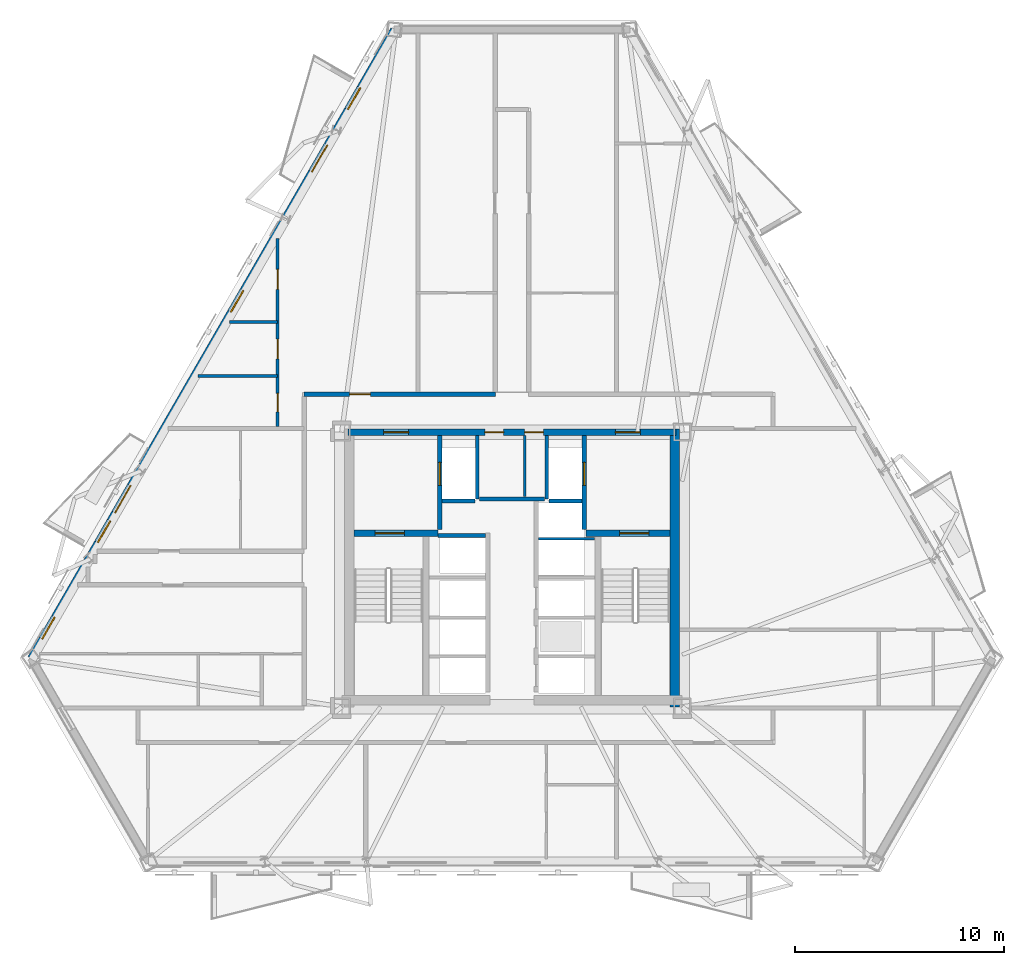
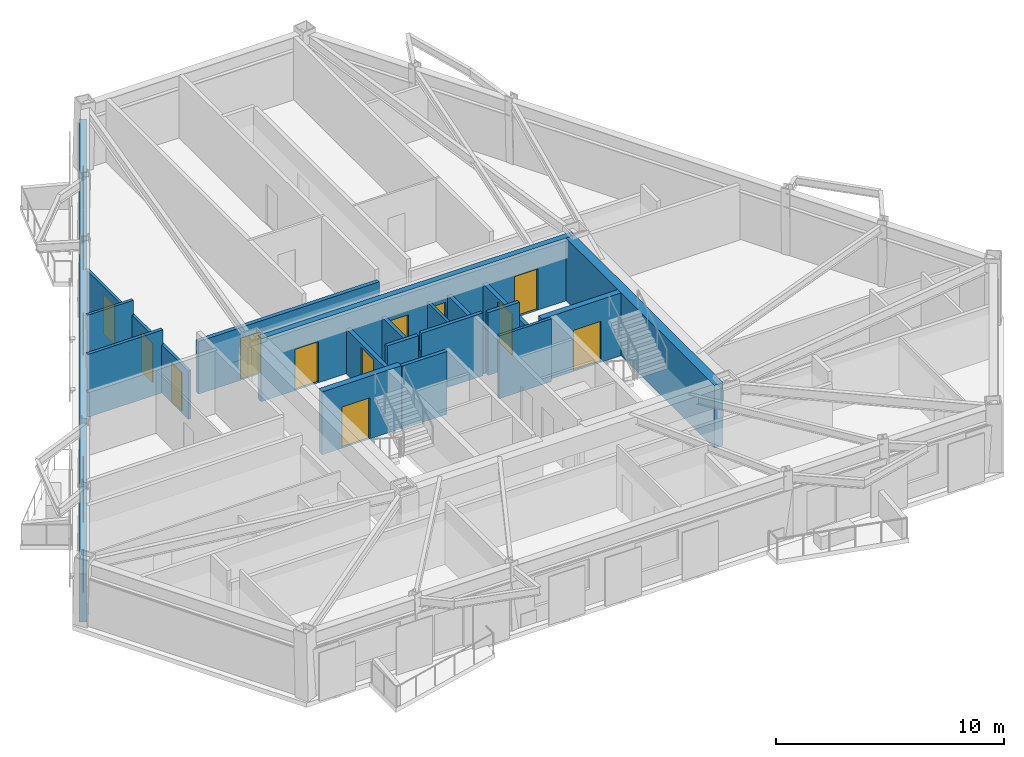
# One storey, part 4 of 11: 19 walls, 14 doors, 4 windows, 18 openings.
"""IFC4 building model written with IfcOpenShell, lengths in metres."""

from ifc_helpers import new_model, si_unit, direction, frame, frame_2d, origin, place, context, subcontext, project, spatial, rectangle, extrude, material, layer, layer_set, type_object, element, fill, save


model = new_model("IFC4")

# Units and contexts
model_context = context("Model", 3, precision=1e-05, world=origin(), true_north=direction((0.0, 1.0)))
body_context = subcontext(model_context, "Body", "Model", "MODEL_VIEW")
ifc_project = project(units=[si_unit("LENGTHUNIT", "METRE"), si_unit("AREAUNIT", "SQUARE_METRE"), si_unit("VOLUMEUNIT", "CUBIC_METRE"), si_unit("PLANEANGLEUNIT", "RADIAN"), si_unit("MASSUNIT", "GRAM", prefix="KILO")], contexts=[model_context])

# Site, building, storey
site_placement = place(None, origin())
site = spatial("IfcSite", under=ifc_project, at=site_placement, CompositionType="ELEMENT")
building_placement = place(site_placement, origin())
building = spatial("IfcBuilding", under=site, at=building_placement, Name="Oramaril Tower", CompositionType="ELEMENT")
storey_placement = place(building_placement, frame((0.0, 0.0, 112.199951171875)))
storey = spatial("IfcBuildingStorey", under=building, at=storey_placement, Name="L29", CompositionType="ELEMENT", Elevation=112.199951171875)

# Wall, openings, doors, windows
ifc_material_1 = material(Name="Warm Cream Limestone", Category="masonry")
ifc_layer_1 = layer(ifc_material_1, 0.340087890625)
ifc_layer_set_1 = layer_set([ifc_layer_1], Name="WT-EXT34")
wall_type_1 = type_object("IfcWallType", Name="WT-EXT34", PredefinedType="SOLIDWALL", material=ifc_layer_set_1)
wall_1_placement = place(storey_placement, frame((31.850341796875, 43.4248046875, 0.0), z_axis=(0.0, 0.0, 1.0), x_axis=(-0.500004027594, -0.866023078439, 0.0)))
wall_1 = element("IfcWall", 1, at=wall_1_placement, inside=storey, type_object=wall_type_1, Name="L29 Tower Limestone Facade Wall 6M", PredefinedType="SOLIDWALL", context=body_context, shape_type="SweptSolid", body=[
    extrude(rectangle(XDim=34.750244140625, YDim=0.340087890625, at=frame_2d((17.375, 0.0))), origin(), (0.0, 0.0, 1.0), 2.578125),
])
opening_1_placement = place(wall_1_placement, frame((6.369384765625, 0.0, 0.0)))
opening_1 = element("IfcOpeningElement", 2, at=opening_1_placement, cuts=wall_1, Name="Opening D-L29-BAL-NW1", PredefinedType="OPENING", context=body_context, shape_type="SweptSolid", body=[
    extrude(rectangle(XDim=1.5, YDim=2.199951171875, at=frame_2d((0.75, 1.10009765625))), frame((0.0, 0.169921875, 0.0), z_axis=(0.0, -1.0, 0.0), x_axis=(1.0, 0.0, 0.0)), (0.0, 0.0, 1.0), 0.340087890625),
])
opening_2_placement = place(wall_1_placement, frame((25.2158203125, 0.0, 0.0)))
opening_2 = element("IfcOpeningElement", 3, at=opening_2_placement, cuts=wall_1, Name="Opening D-L29-BAL-NW2", PredefinedType="OPENING", context=body_context, shape_type="SweptSolid", body=[
    extrude(rectangle(XDim=1.5, YDim=2.199951171875, at=frame_2d((0.75, 1.10009765625))), frame((0.0, 0.169921875, 0.0), z_axis=(0.0, -1.0, 0.0), x_axis=(1.0, 0.0, 0.0)), (0.0, 0.0, 1.0), 0.340087890625),
])
opening_3_placement = place(wall_1_placement, frame((32.486083984375, 0.0, 0.85009765625)))
opening_3 = element("IfcOpeningElement", 4, at=opening_3_placement, cuts=wall_1, Name="Opening WN-09", PredefinedType="OPENING", context=body_context, shape_type="SweptSolid", body=[
    extrude(rectangle(XDim=1.199951171875, YDim=1.47998046875, at=frame_2d((0.60009765625, 0.739990234375))), frame((0.0, 0.169921875, 0.0), z_axis=(0.0, -1.0, 0.0), x_axis=(1.0, 0.0, 0.0)), (0.0, 0.0, 1.0), 0.340087890625),
])
opening_4_placement = place(wall_1_placement, frame((27.160400390625, 0.0, 0.85009765625)))
opening_4 = element("IfcOpeningElement", 5, at=opening_4_placement, cuts=wall_1, Name="Opening WN-09", PredefinedType="OPENING", context=body_context, shape_type="SweptSolid", body=[
    extrude(rectangle(XDim=1.199951171875, YDim=1.47998046875, at=frame_2d((0.60009765625, 0.739990234375))), frame((0.0, 0.169921875, 0.0), z_axis=(0.0, -1.0, 0.0), x_axis=(1.0, 0.0, 0.0)), (0.0, 0.0, 1.0), 0.340087890625),
])
opening_5_placement = place(wall_1_placement, frame((3.218017578125, 0.0, 0.85009765625)))
opening_5 = element("IfcOpeningElement", 6, at=opening_5_placement, cuts=wall_1, Name="Opening WN-09", PredefinedType="OPENING", context=body_context, shape_type="SweptSolid", body=[
    extrude(rectangle(XDim=1.199951171875, YDim=1.47998046875, at=frame_2d((0.60009765625, 0.739990234375))), frame((0.0, 0.169921875, 0.0), z_axis=(0.0, -1.0, 0.0), x_axis=(1.0, 0.0, 0.0)), (0.0, 0.0, 1.0), 0.340087890625),
])
opening_6_placement = place(wall_1_placement, frame((14.4208984375, 0.0, 0.85009765625)))
opening_6 = element("IfcOpeningElement", 7, at=opening_6_placement, cuts=wall_1, Name="Opening WN-09", PredefinedType="OPENING", context=body_context, shape_type="SweptSolid", body=[
    extrude(rectangle(XDim=1.199951171875, YDim=1.47998046875, at=frame_2d((0.60009765625, 0.739990234375))), frame((0.0, 0.169921875, 0.0), z_axis=(0.0, -1.0, 0.0), x_axis=(1.0, 0.0, 0.0)), (0.0, 0.0, 1.0), 0.340087890625),
])
ifc_material_2 = material(Name="Anodised Aluminium 6063-T6", Category="aluminium")
door_type_1 = type_object("IfcDoorType", Name="DT-BAL", OperationType="NOTDEFINED", PredefinedType="DOOR", material=ifc_material_2)
door_1_placement = place(opening_1_placement, origin())
door_1 = element("IfcDoor", 8, at=door_1_placement, inside=storey, type_object=door_type_1, Name="L29 Balcony Glazed Door L29-BAL-NW1", OperationType="SINGLE_SWING_RIGHT", OverallHeight=2.199951171875, OverallWidth=1.5, PredefinedType="DOOR", context=body_context, shape_type="SweptSolid", body=[
    extrude(rectangle(XDim=1.5, YDim=2.199951171875, at=frame_2d((0.75, 1.10009765625))), frame((0.0, 0.02490234375, 0.0), z_axis=(0.0, -1.0, 0.0), x_axis=(1.0, 0.0, 0.0)), (0.0, 0.0, 1.0), 0.050048828125),
])
fill(opening_1, door_1)
door_2_placement = place(opening_2_placement, origin())
door_2 = element("IfcDoor", 9, at=door_2_placement, inside=storey, type_object=door_type_1, Name="L29 Balcony Glazed Door L29-BAL-NW2", OperationType="SINGLE_SWING_LEFT", OverallHeight=2.199951171875, OverallWidth=1.5, PredefinedType="DOOR", context=body_context, shape_type="SweptSolid", body=[
    extrude(rectangle(XDim=1.5, YDim=2.199951171875, at=frame_2d((0.75, 1.10009765625))), frame((0.0, 0.02490234375, 0.0), z_axis=(0.0, -1.0, 0.0), x_axis=(1.0, 0.0, 0.0)), (0.0, 0.0, 1.0), 0.050048828125),
])
fill(opening_2, door_2)
ifc_material_3 = material(Name="Coastal Low-E Insulated Glass", Category="glass")
window_type = type_object("IfcWindowType", Name="WNT-09", PartitioningType="SINGLE_PANEL", PredefinedType="WINDOW", material=ifc_material_3)
window_1_placement = place(opening_3_placement, origin())
window_1 = element("IfcWindow", 10, at=window_1_placement, inside=storey, type_object=window_type, Name="L29 Chicago Bay Window WN-09", OverallHeight=1.47998046875, OverallWidth=1.199951171875, PartitioningType="SINGLE_PANEL", PredefinedType="WINDOW", context=body_context, shape_type="SweptSolid", body=[
    extrude(rectangle(XDim=1.199951171875, YDim=1.47998046875, at=frame_2d((0.60009765625, 0.739990234375))), frame((0.0, 0.030029296875, 0.0), z_axis=(0.0, -1.0, 0.0), x_axis=(1.0, 0.0, 0.0)), (0.0, 0.0, 1.0), 0.06005859375),
])
fill(opening_3, window_1)
window_2_placement = place(opening_4_placement, origin())
window_2 = element("IfcWindow", 11, at=window_2_placement, inside=storey, type_object=window_type, Name="L29 Chicago Bay Window WN-09", OverallHeight=1.47998046875, OverallWidth=1.199951171875, PartitioningType="SINGLE_PANEL", PredefinedType="WINDOW", context=body_context, shape_type="SweptSolid", body=[
    extrude(rectangle(XDim=1.199951171875, YDim=1.47998046875, at=frame_2d((0.60009765625, 0.739990234375))), frame((0.0, 0.030029296875, 0.0), z_axis=(0.0, -1.0, 0.0), x_axis=(1.0, 0.0, 0.0)), (0.0, 0.0, 1.0), 0.06005859375),
])
fill(opening_4, window_2)
window_3_placement = place(opening_5_placement, origin())
window_3 = element("IfcWindow", 12, at=window_3_placement, inside=storey, type_object=window_type, Name="L29 Chicago Bay Window WN-09", OverallHeight=1.47998046875, OverallWidth=1.199951171875, PartitioningType="SINGLE_PANEL", PredefinedType="WINDOW", context=body_context, shape_type="SweptSolid", body=[
    extrude(rectangle(XDim=1.199951171875, YDim=1.47998046875, at=frame_2d((0.60009765625, 0.739990234375))), frame((0.0, 0.030029296875, 0.0), z_axis=(0.0, -1.0, 0.0), x_axis=(1.0, 0.0, 0.0)), (0.0, 0.0, 1.0), 0.06005859375),
])
fill(opening_5, window_3)
window_4_placement = place(opening_6_placement, origin())
window_4 = element("IfcWindow", 13, at=window_4_placement, inside=storey, type_object=window_type, Name="L29 Chicago Bay Window WN-09", OverallHeight=1.47998046875, OverallWidth=1.199951171875, PartitioningType="SINGLE_PANEL", PredefinedType="WINDOW", context=body_context, shape_type="SweptSolid", body=[
    extrude(rectangle(XDim=1.199951171875, YDim=1.47998046875, at=frame_2d((0.60009765625, 0.739990234375))), frame((0.0, 0.030029296875, 0.0), z_axis=(0.0, -1.0, 0.0), x_axis=(1.0, 0.0, 0.0)), (0.0, 0.0, 1.0), 0.06005859375),
])
fill(opening_6, window_4)

# Walls
ifc_material_4 = material(Name="Acoustic Gypsum Board Partition")
ifc_layer_2 = layer(ifc_material_4, 0.139892578125)
ifc_layer_set_2 = layer_set([ifc_layer_2], Name="WT-PT14")
wall_type_2 = type_object("IfcWallType", Name="WT-PT14", PredefinedType="PARTITIONING", material=ifc_layer_set_2)
wall_2_placement = place(storey_placement, frame((38.780029296875, 19.050048828125, 0.0), z_axis=(0.0, 0.0, 1.0), x_axis=(1.0, 0.0, 0.0)))
element("IfcWall", 14, at=wall_2_placement, inside=storey, type_object=wall_type_2, Name="L29 East Lift Divider", PredefinedType="PARTITIONING", context=body_context, shape_type="SweptSolid", body=[
    extrude(rectangle(XDim=2.659912109375, YDim=0.139892578125, at=frame_2d((1.330078125, 0.0))), origin(), (0.0, 0.0, 1.0), 3.360107421875),
])
wall_3_placement = place(storey_placement, frame((38.110107421875, 21.06005859375, 0.0), z_axis=(0.0, 0.0, 1.0), x_axis=(0.0, 1.0, 0.0)))
element("IfcWall", 15, at=wall_3_placement, inside=storey, type_object=wall_type_2, Name="L29 Core Service Divider", PredefinedType="PARTITIONING", context=body_context, shape_type="SweptSolid", body=[
    extrude(rectangle(XDim=2.919921875, YDim=0.139892578125, at=frame_2d((1.4599609375, 0.0))), origin(), (0.0, 0.0, 1.0), 2.400146484375),
])
wall_4_placement = place(storey_placement, frame((23.97119140625, 29.429931640625, 0.0), z_axis=(0.0, 0.0, 1.0), x_axis=(1.0, 0.0, 0.0)))
element("IfcWall", 16, at=wall_4_placement, inside=storey, type_object=wall_type_2, Name="L29 Interior Partition PT-14", PredefinedType="PARTITIONING", context=body_context, shape_type="SweptSolid", body=[
    extrude(rectangle(XDim=2.304931640625, YDim=0.139892578125, at=frame_2d((1.15234375, 0.0))), origin(), (0.0, 0.0, 1.0), 3.360107421875),
])

# Wall, openings, doors
wall_5_placement = place(storey_placement, frame((26.280029296875, 24.424072265625, 0.0), z_axis=(0.0, 0.0, 1.0), x_axis=(0.0, 1.0, 0.0)))
wall_5 = element("IfcWall", 17, at=wall_5_placement, inside=storey, type_object=wall_type_2, Name="L29 Interior Partition PT-14", PredefinedType="PARTITIONING", context=body_context, shape_type="SweptSolid", body=[
    extrude(rectangle(XDim=9.004638671875, YDim=0.139892578125, at=frame_2d((4.50244140625, 0.0))), origin(), (0.0, 0.0, 1.0), 2.578125),
])
opening_7_placement = place(wall_5_placement, frame((0.700927734375, 0.0, 0.0)))
opening_7 = element("IfcOpeningElement", 18, at=opening_7_placement, cuts=wall_5, Name="Opening D-L29-20", PredefinedType="OPENING", context=body_context, shape_type="SweptSolid", body=[
    extrude(rectangle(XDim=0.8798828125, YDim=2.080078125, at=frame_2d((0.43994140625, 1.0400390625))), frame((0.0, 0.06982421875, 0.0), z_axis=(0.0, -1.0, 0.0), x_axis=(1.0, 0.0, 0.0)), (0.0, 0.0, 1.0), 0.139892578125),
])
opening_8_placement = place(wall_5_placement, frame((3.236572265625, 0.0, 0.0)))
opening_8 = element("IfcOpeningElement", 19, at=opening_8_placement, cuts=wall_5, Name="Opening D-L29-21", PredefinedType="OPENING", context=body_context, shape_type="SweptSolid", body=[
    extrude(rectangle(XDim=0.949951171875, YDim=2.10009765625, at=frame_2d((0.47509765625, 1.050048828125))), frame((0.0, 0.06982421875, 0.0), z_axis=(0.0, -1.0, 0.0), x_axis=(1.0, 0.0, 0.0)), (0.0, 0.0, 1.0), 0.139892578125),
])
opening_9_placement = place(wall_5_placement, frame((6.566650390625, 0.0, 0.0)))
opening_9 = element("IfcOpeningElement", 20, at=opening_9_placement, cuts=wall_5, Name="Opening D-L29-22", PredefinedType="OPENING", context=body_context, shape_type="SweptSolid", body=[
    extrude(rectangle(XDim=0.949951171875, YDim=2.10009765625, at=frame_2d((0.47509765625, 1.050048828125))), frame((0.0, 0.06982421875, 0.0), z_axis=(0.0, -1.0, 0.0), x_axis=(1.0, 0.0, 0.0)), (0.0, 0.0, 1.0), 0.139892578125),
])
ifc_material_5 = material(Name="FSC Brazilian Freijo Hardwood", Category="wood")
door_type_2 = type_object("IfcDoorType", Name="DT-BATH", OperationType="NOTDEFINED", PredefinedType="DOOR", material=ifc_material_5)
door_3_placement = place(opening_7_placement, origin())
door_3 = element("IfcDoor", 21, at=door_3_placement, inside=storey, type_object=door_type_2, Name="L29 Flat L29-U7 Bathroom Door D-L29-20", OperationType="SINGLE_SWING_LEFT", OverallHeight=2.080078125, OverallWidth=0.8798828125, PredefinedType="DOOR", context=body_context, shape_type="SweptSolid", body=[
    extrude(rectangle(XDim=0.8798828125, YDim=2.080078125, at=frame_2d((0.43994140625, 1.0400390625))), frame((0.0, 0.02490234375, 0.0), z_axis=(0.0, -1.0, 0.0), x_axis=(1.0, 0.0, 0.0)), (0.0, 0.0, 1.0), 0.050048828125),
])
fill(opening_7, door_3)
ifc_material_6 = material(Name="FSC Brazilian Freijo Hardwood", Category="wood")
door_type_3 = type_object("IfcDoorType", Name="DT-STDY", OperationType="NOTDEFINED", PredefinedType="DOOR", material=ifc_material_6)
door_4_placement = place(opening_8_placement, origin())
door_4 = element("IfcDoor", 22, at=door_4_placement, inside=storey, type_object=door_type_3, Name="L29 Flat L29-U7 Kitchen Door D-L29-21", OperationType="SINGLE_SWING_RIGHT", OverallHeight=2.10009765625, OverallWidth=0.949951171875, PredefinedType="DOOR", context=body_context, shape_type="SweptSolid", body=[
    extrude(rectangle(XDim=0.949951171875, YDim=2.10009765625, at=frame_2d((0.47509765625, 1.050048828125))), frame((0.0, 0.02490234375, 0.0), z_axis=(0.0, -1.0, 0.0), x_axis=(1.0, 0.0, 0.0)), (0.0, 0.0, 1.0), 0.050048828125),
])
fill(opening_8, door_4)
door_5_placement = place(opening_9_placement, origin())
door_5 = element("IfcDoor", 23, at=door_5_placement, inside=storey, type_object=door_type_3, Name="L29 Flat L29-U7 Breakfast Dining Room Door D-L29-22", OperationType="SINGLE_SWING_LEFT", OverallHeight=2.10009765625, OverallWidth=0.949951171875, PredefinedType="DOOR", context=body_context, shape_type="SweptSolid", body=[
    extrude(rectangle(XDim=0.949951171875, YDim=2.10009765625, at=frame_2d((0.47509765625, 1.050048828125))), frame((0.0, 0.02490234375, 0.0), z_axis=(0.0, -1.0, 0.0), x_axis=(1.0, 0.0, 0.0)), (0.0, 0.0, 1.0), 0.050048828125),
])
fill(opening_9, door_5)

# Walls
ifc_material_7 = material(Name="Acoustic Gypsum Board Partition")
ifc_layer_3 = layer(ifc_material_7, 0.159912109375)
ifc_layer_set_3 = layer_set([ifc_layer_3], Name="WT-PT16")
wall_type_3 = type_object("IfcWallType", Name="WT-PT16", PredefinedType="PARTITIONING", material=ifc_layer_set_3)
wall_6_placement = place(storey_placement, frame((22.475830078125, 26.840087890625, 0.0), z_axis=(0.0, 0.0, 1.0), x_axis=(1.0, 0.0, 0.0)))
element("IfcWall", 24, at=wall_6_placement, inside=storey, type_object=wall_type_3, Name="L29 Interior Partition PT-16", PredefinedType="PARTITIONING", context=body_context, shape_type="SweptSolid", body=[
    extrude(rectangle(XDim=3.80029296875, YDim=0.159912109375, at=frame_2d((1.900146484375, 0.0))), origin(), (0.0, 0.0, 1.0), 3.360107421875),
])
ifc_material_8 = material(Name="Autoclaved Cellular Concrete Block", Category="concrete")
ifc_layer_4 = layer(ifc_material_8, 0.179931640625)
ifc_layer_set_4 = layer_set([ifc_layer_4], Name="WT-PT18")
wall_type_4 = type_object("IfcWallType", Name="WT-PT18", PredefinedType="PARTITIONING", material=ifc_layer_set_4)
wall_7_placement = place(storey_placement, frame((35.840087890625, 20.9599609375, 0.0), z_axis=(0.0, 0.0, 1.0), x_axis=(0.0, 1.0, 0.0)))
element("IfcWall", 25, at=wall_7_placement, inside=storey, type_object=wall_type_4, Name="L29 FL-1 East Shaft Wall", PredefinedType="PARTITIONING", context=body_context, shape_type="SweptSolid", body=[
    extrude(rectangle(XDim=3.02001953125, YDim=0.179931640625, at=frame_2d((1.510009765625, 0.0))), origin(), (0.0, 0.0, 1.0), 2.400146484375),
])
wall_8_placement = place(storey_placement, frame((34.159912109375, 20.860107421875, 0.0), z_axis=(0.0, 0.0, 1.0), x_axis=(1.0, 0.0, 0.0)))
element("IfcWall", 26, at=wall_8_placement, inside=storey, type_object=wall_type_4, Name="L29 FL-1 South Shaft Wall", PredefinedType="PARTITIONING", context=body_context, shape_type="SweptSolid", body=[
    extrude(rectangle(XDim=1.580078125, YDim=0.179931640625, at=frame_2d((0.7900390625, 0.0))), origin(), (0.0, 0.0, 1.0), 3.360107421875),
])
wall_9_placement = place(storey_placement, frame((39.159912109375, 20.9599609375, 0.0), z_axis=(0.0, 0.0, 1.0), x_axis=(0.0, 1.0, 0.0)))
element("IfcWall", 27, at=wall_9_placement, inside=storey, type_object=wall_type_4, Name="L29 FL-2 West Shaft Wall", PredefinedType="PARTITIONING", context=body_context, shape_type="SweptSolid", body=[
    extrude(rectangle(XDim=3.02001953125, YDim=0.179931640625, at=frame_2d((1.510009765625, 0.0))), origin(), (0.0, 0.0, 1.0), 2.400146484375),
])
wall_10_placement = place(storey_placement, frame((39.260009765625, 20.860107421875, 0.0), z_axis=(0.0, 0.0, 1.0), x_axis=(1.0, 0.0, 0.0)))
element("IfcWall", 28, at=wall_10_placement, inside=storey, type_object=wall_type_4, Name="L29 FL-2 South Shaft Wall", PredefinedType="PARTITIONING", context=body_context, shape_type="SweptSolid", body=[
    extrude(rectangle(XDim=1.580078125, YDim=0.179931640625, at=frame_2d((0.7900390625, 0.0))), origin(), (0.0, 0.0, 1.0), 3.360107421875),
])
wall_11_placement = place(storey_placement, frame((33.949951171875, 19.199951171875, 0.0), z_axis=(0.0, 0.0, 1.0), x_axis=(1.0, 0.0, 0.0)))
element("IfcWall", 29, at=wall_11_placement, inside=storey, type_object=wall_type_4, Name="L29 High-Rise Lift H1 North Shaft Wall", PredefinedType="PARTITIONING", context=body_context, shape_type="SweptSolid", body=[
    extrude(rectangle(XDim=2.27001953125, YDim=0.179931640625, at=frame_2d((1.135009765625, 0.0))), origin(), (0.0, 0.0, 1.0), 3.360107421875),
])
wall_12_placement = place(storey_placement, frame((35.949951171875, 20.949951171875, 0.0), z_axis=(0.0, 0.0, 1.0), x_axis=(1.0, 0.0, 0.0)))
element("IfcWall", 30, at=wall_12_placement, inside=storey, type_object=wall_type_4, Name="L29 Lift Lobby North Partition", PredefinedType="PARTITIONING", context=body_context, shape_type="SweptSolid", body=[
    extrude(rectangle(XDim=3.10009765625, YDim=0.179931640625, at=frame_2d((1.550048828125, 0.0))), origin(), (0.0, 0.0, 1.0), 3.360107421875),
])

# Wall, opening, door
ifc_material_9 = material(Name="Autoclaved Cellular Concrete Block", Category="concrete")
ifc_layer_5 = layer(ifc_material_9, 0.199951171875)
ifc_layer_set_5 = layer_set([ifc_layer_5], Name="WT-PT20")
wall_type_5 = type_object("IfcWallType", Name="WT-PT20", PredefinedType="PARTITIONING", material=ifc_layer_set_5)
wall_13_placement = place(storey_placement, frame((27.550048828125, 25.969970703125, 0.0), z_axis=(0.0, 0.0, 1.0), x_axis=(1.0, 0.0, 0.0)))
wall_13 = element("IfcWall", 31, at=wall_13_placement, inside=storey, type_object=wall_type_5, Name="L29 Interior Partition PT-20", PredefinedType="PARTITIONING", context=body_context, shape_type="SweptSolid", body=[
    extrude(rectangle(XDim=9.14990234375, YDim=0.199951171875, at=frame_2d((4.574951171875, 0.0))), origin(), (0.0, 0.0, 1.0), 2.81396484375),
])
opening_10_placement = place(wall_13_placement, frame((2.17333984375, 0.0, 0.0)))
opening_10 = element("IfcOpeningElement", 32, at=opening_10_placement, cuts=wall_13, Name="Opening D-L29-13", PredefinedType="OPENING", context=body_context, shape_type="SweptSolid", body=[
    extrude(rectangle(XDim=1.0, YDim=2.179931640625, at=frame_2d((0.5, 1.08984375))), frame((0.0, 0.10009765625, 0.0), z_axis=(0.0, -1.0, 0.0), x_axis=(1.0, 0.0, 0.0)), (0.0, 0.0, 1.0), 0.199951171875),
])
ifc_material_10 = material(Name="FSC Brazilian Freijo Hardwood", Category="wood")
door_type_4 = type_object("IfcDoorType", Name="DT-APT", OperationType="NOTDEFINED", PredefinedType="DOOR", material=ifc_material_10)
door_6_placement = place(opening_10_placement, origin())
door_6 = element("IfcDoor", 33, at=door_6_placement, inside=storey, type_object=door_type_4, Name="L29 Flat L29-U7 Studio Apartment Door D-L29-13", OperationType="SINGLE_SWING_RIGHT", OverallHeight=2.179931640625, OverallWidth=1.0, PredefinedType="DOOR", context=body_context, shape_type="SweptSolid", body=[
    extrude(rectangle(XDim=1.0, YDim=2.179931640625, at=frame_2d((0.5, 1.08984375))), frame((0.0, 0.02490234375, 0.0), z_axis=(0.0, -1.0, 0.0), x_axis=(1.0, 0.0, 0.0)), (0.0, 0.0, 1.0), 0.050048828125),
])
fill(opening_10, door_6)

# Wall, openings, doors
ifc_material_11 = material(Name="Concrete C50/60", Category="concrete")
ifc_layer_6 = layer(ifc_material_11, 0.300048828125)
ifc_layer_set_6 = layer_set([ifc_layer_6], Name="WT-SH30")
wall_type_6 = type_object("IfcWallType", Name="WT-SH30", PredefinedType="SHEAR", material=ifc_layer_set_6)
wall_14_placement = place(storey_placement, frame((29.64990234375, 24.14990234375, 0.0), z_axis=(0.0, 0.0, 1.0), x_axis=(1.0, 0.0, 0.0)))
wall_14 = element("IfcWall", 34, at=wall_14_placement, inside=storey, type_object=wall_type_6, Name="L29 Core Shear Wall CW-N", PredefinedType="SHEAR", context=body_context, shape_type="SweptSolid", body=[
    extrude(rectangle(XDim=15.7001953125, YDim=0.300048828125, at=frame_2d((7.85009765625, 0.0))), origin(), (0.0, 0.0, 1.0), 3.360107421875),
])
opening_11_placement = place(wall_14_placement, frame((1.699951171875, 0.0, 0.0)))
opening_11 = element("IfcOpeningElement", 35, at=opening_11_placement, cuts=wall_14, Name="Opening D-L29-FFL1", PredefinedType="OPENING", context=body_context, shape_type="SweptSolid", body=[
    extrude(rectangle(XDim=1.199951171875, YDim=2.199951171875, at=frame_2d((0.60009765625, 1.10009765625))), frame((0.0, 0.14990234375, 0.0), z_axis=(0.0, -1.0, 0.0), x_axis=(1.0, 0.0, 0.0)), (0.0, 0.0, 1.0), 0.300048828125),
])
opening_12_placement = place(wall_14_placement, frame((12.800048828125, 0.0, 0.0)))
opening_12 = element("IfcOpeningElement", 36, at=opening_12_placement, cuts=wall_14, Name="Opening D-L29-FFL2", PredefinedType="OPENING", context=body_context, shape_type="SweptSolid", body=[
    extrude(rectangle(XDim=1.199951171875, YDim=2.199951171875, at=frame_2d((0.60009765625, 1.10009765625))), frame((0.0, 0.14990234375, 0.0), z_axis=(0.0, -1.0, 0.0), x_axis=(1.0, 0.0, 0.0)), (0.0, 0.0, 1.0), 0.300048828125),
])
opening_13_placement = place(wall_14_placement, frame((6.550048828125, 0.0, 0.0)))
opening_13 = element("IfcOpeningElement", 37, at=opening_13_placement, cuts=wall_14, Name="Opening D-L29-SV1", PredefinedType="OPENING", context=body_context, shape_type="SweptSolid", body=[
    extrude(rectangle(XDim=0.89990234375, YDim=2.050048828125, at=frame_2d((0.449951171875, 1.02490234375))), frame((0.0, 0.14990234375, 0.0), z_axis=(0.0, -1.0, 0.0), x_axis=(1.0, 0.0, 0.0)), (0.0, 0.0, 1.0), 0.300048828125),
])
opening_14_placement = place(wall_14_placement, frame((8.449951171875, 0.0, 0.0)))
opening_14 = element("IfcOpeningElement", 38, at=opening_14_placement, cuts=wall_14, Name="Opening D-L29-SV2", PredefinedType="OPENING", context=body_context, shape_type="SweptSolid", body=[
    extrude(rectangle(XDim=0.89990234375, YDim=2.050048828125, at=frame_2d((0.449951171875, 1.02490234375))), frame((0.0, 0.14990234375, 0.0), z_axis=(0.0, -1.0, 0.0), x_axis=(1.0, 0.0, 0.0)), (0.0, 0.0, 1.0), 0.300048828125),
])
ifc_material_12 = material(Name="Painted Galvanised Steel", Category="steel")
door_type_5 = type_object("IfcDoorType", Name="DT-FFL", OperationType="NOTDEFINED", PredefinedType="DOOR", material=ifc_material_12)
door_7_placement = place(opening_11_placement, origin())
door_7 = element("IfcDoor", 39, at=door_7_placement, inside=storey, type_object=door_type_5, Name="L29 Firefighting Lobby 1 Fire Door", OperationType="SINGLE_SWING_LEFT", OverallHeight=2.199951171875, OverallWidth=1.199951171875, PredefinedType="DOOR", context=body_context, shape_type="SweptSolid", body=[
    extrude(rectangle(XDim=1.199951171875, YDim=2.199951171875, at=frame_2d((0.60009765625, 1.10009765625))), frame((0.0, 0.02490234375, 0.0), z_axis=(0.0, -1.0, 0.0), x_axis=(1.0, 0.0, 0.0)), (0.0, 0.0, 1.0), 0.050048828125),
])
fill(opening_11, door_7)
door_8_placement = place(opening_12_placement, origin())
door_8 = element("IfcDoor", 40, at=door_8_placement, inside=storey, type_object=door_type_5, Name="L29 Firefighting Lobby 2 Fire Door", OperationType="SINGLE_SWING_RIGHT", OverallHeight=2.199951171875, OverallWidth=1.199951171875, PredefinedType="DOOR", context=body_context, shape_type="SweptSolid", body=[
    extrude(rectangle(XDim=1.199951171875, YDim=2.199951171875, at=frame_2d((0.60009765625, 1.10009765625))), frame((0.0, 0.02490234375, 0.0), z_axis=(0.0, -1.0, 0.0), x_axis=(1.0, 0.0, 0.0)), (0.0, 0.0, 1.0), 0.050048828125),
])
fill(opening_12, door_8)
ifc_material_13 = material(Name="Painted Galvanised Steel", Category="steel")
door_type_6 = type_object("IfcDoorType", Name="DT-SVC", OperationType="NOTDEFINED", PredefinedType="DOOR", material=ifc_material_13)
door_9_placement = place(opening_13_placement, origin())
door_9 = element("IfcDoor", 41, at=door_9_placement, inside=storey, type_object=door_type_6, Name="L29 Core Service Store 1 Door", OperationType="SINGLE_SWING_LEFT", OverallHeight=2.050048828125, OverallWidth=0.89990234375, PredefinedType="DOOR", context=body_context, shape_type="SweptSolid", body=[
    extrude(rectangle(XDim=0.89990234375, YDim=2.050048828125, at=frame_2d((0.449951171875, 1.02490234375))), frame((0.0, 0.02490234375, 0.0), z_axis=(0.0, -1.0, 0.0), x_axis=(1.0, 0.0, 0.0)), (0.0, 0.0, 1.0), 0.050048828125),
])
fill(opening_13, door_9)
door_10_placement = place(opening_14_placement, origin())
door_10 = element("IfcDoor", 42, at=door_10_placement, inside=storey, type_object=door_type_6, Name="L29 Core Service Store 2 Door", OperationType="SINGLE_SWING_RIGHT", OverallHeight=2.050048828125, OverallWidth=0.89990234375, PredefinedType="DOOR", context=body_context, shape_type="SweptSolid", body=[
    extrude(rectangle(XDim=0.89990234375, YDim=2.050048828125, at=frame_2d((0.449951171875, 1.02490234375))), frame((0.0, 0.02490234375, 0.0), z_axis=(0.0, -1.0, 0.0), x_axis=(1.0, 0.0, 0.0)), (0.0, 0.0, 1.0), 0.050048828125),
])
fill(opening_14, door_10)

# Wall, opening, door
wall_15_placement = place(storey_placement, frame((29.93994140625, 19.31005859375, 0.0), z_axis=(0.0, 0.0, 1.0), x_axis=(1.0, 0.0, 0.0)))
wall_15 = element("IfcWall", 43, at=wall_15_placement, inside=storey, type_object=wall_type_6, Name="L29 Core Shear Wall CW-ST1N", PredefinedType="SHEAR", context=body_context, shape_type="SweptSolid", body=[
    extrude(rectangle(XDim=4.010009765625, YDim=0.300048828125, at=frame_2d((2.0048828125, 0.0))), origin(), (0.0, 0.0, 1.0), 3.360107421875),
])
opening_15_placement = place(wall_15_placement, frame((1.010009765625, 0.0, 0.0)))
opening_15 = element("IfcOpeningElement", 44, at=opening_15_placement, cuts=wall_15, Name="Opening D-L29-ST1", PredefinedType="OPENING", context=body_context, shape_type="SweptSolid", body=[
    extrude(rectangle(XDim=1.39990234375, YDim=2.199951171875, at=frame_2d((0.699951171875, 1.10009765625))), frame((0.0, 0.14990234375, 0.0), z_axis=(0.0, -1.0, 0.0), x_axis=(1.0, 0.0, 0.0)), (0.0, 0.0, 1.0), 0.300048828125),
])
ifc_material_14 = material(Name="Painted Galvanised Steel", Category="steel")
door_type_7 = type_object("IfcDoorType", Name="DT-ST", OperationType="NOTDEFINED", PredefinedType="DOOR", material=ifc_material_14)
door_11_placement = place(opening_15_placement, origin())
door_11 = element("IfcDoor", 45, at=door_11_placement, inside=storey, type_object=door_type_7, Name="L29 Protected Stair ST-1 Fire Door", OperationType="SINGLE_SWING_LEFT", OverallHeight=2.199951171875, OverallWidth=1.39990234375, PredefinedType="DOOR", context=body_context, shape_type="SweptSolid", body=[
    extrude(rectangle(XDim=1.39990234375, YDim=2.199951171875, at=frame_2d((0.699951171875, 1.10009765625))), frame((0.0, 0.02490234375, 0.0), z_axis=(0.0, -1.0, 0.0), x_axis=(1.0, 0.0, 0.0)), (0.0, 0.0, 1.0), 0.050048828125),
])
fill(opening_15, door_11)

wall_16_placement = place(storey_placement, frame((41.050048828125, 19.31005859375, 0.0), z_axis=(0.0, 0.0, 1.0), x_axis=(1.0, 0.0, 0.0)))
wall_16 = element("IfcWall", 46, at=wall_16_placement, inside=storey, type_object=wall_type_6, Name="L29 Core Shear Wall CW-ST2N", PredefinedType="SHEAR", context=body_context, shape_type="SweptSolid", body=[
    extrude(rectangle(XDim=4.010009765625, YDim=0.300048828125, at=frame_2d((2.0048828125, 0.0))), origin(), (0.0, 0.0, 1.0), 3.360107421875),
])
opening_16_placement = place(wall_16_placement, frame((1.60009765625, 0.0, 0.0)))
opening_16 = element("IfcOpeningElement", 47, at=opening_16_placement, cuts=wall_16, Name="Opening D-L29-ST2", PredefinedType="OPENING", context=body_context, shape_type="SweptSolid", body=[
    extrude(rectangle(XDim=1.39990234375, YDim=2.199951171875, at=frame_2d((0.699951171875, 1.10009765625))), frame((0.0, 0.14990234375, 0.0), z_axis=(0.0, -1.0, 0.0), x_axis=(1.0, 0.0, 0.0)), (0.0, 0.0, 1.0), 0.300048828125),
])
door_12_placement = place(opening_16_placement, origin())
door_12 = element("IfcDoor", 48, at=door_12_placement, inside=storey, type_object=door_type_7, Name="L29 Protected Stair ST-2 Fire Door", OperationType="SINGLE_SWING_RIGHT", OverallHeight=2.199951171875, OverallWidth=1.39990234375, PredefinedType="DOOR", context=body_context, shape_type="SweptSolid", body=[
    extrude(rectangle(XDim=1.39990234375, YDim=2.199951171875, at=frame_2d((0.699951171875, 1.10009765625))), frame((0.0, 0.02490234375, 0.0), z_axis=(0.0, -1.0, 0.0), x_axis=(1.0, 0.0, 0.0)), (0.0, 0.0, 1.0), 0.050048828125),
])
fill(opening_16, door_12)

# Wall
ifc_material_15 = material(Name="Concrete C50/60", Category="concrete")
ifc_layer_7 = layer(ifc_material_15, 0.449951171875)
ifc_layer_set_7 = layer_set([ifc_layer_7], Name="WT-SH45")
wall_type_7 = type_object("IfcWallType", Name="WT-SH45", PredefinedType="SHEAR", material=ifc_layer_set_7)
wall_17_placement = place(storey_placement, frame((45.284912109375, 11.0, 0.0), z_axis=(0.0, 0.0, 1.0), x_axis=(0.0, 1.0, 0.0)))
element("IfcWall", 49, at=wall_17_placement, inside=storey, type_object=wall_type_7, Name="L29 Core Shear Wall CW-E", PredefinedType="SHEAR", context=body_context, shape_type="SweptSolid", body=[
    extrude(rectangle(XDim=13.300048828125, YDim=0.449951171875, at=frame_2d((6.64990234375, 0.0))), origin(), (0.0, 0.0, 1.0), 3.360107421875),
])

# Wall, opening, door
ifc_material_16 = material(Name="Autoclaved Cellular Concrete Block", Category="concrete")
ifc_layer_8 = layer(ifc_material_16, 0.199951171875)
ifc_layer_set_8 = layer_set([ifc_layer_8], Name="WT-SHF20")
wall_type_8 = type_object("IfcWallType", Name="WT-SHF20", PredefinedType="PARTITIONING", material=ifc_layer_set_8)
wall_18_placement = place(storey_placement, frame((34.0400390625, 19.47998046875, 0.0), z_axis=(0.0, 0.0, 1.0), x_axis=(0.0, 1.0, 0.0)))
wall_18 = element("IfcWall", 50, at=wall_18_placement, inside=storey, type_object=wall_type_8, Name="L29 FL-1 Lobby Shaft Wall", PredefinedType="PARTITIONING", context=body_context, shape_type="SweptSolid", body=[
    extrude(rectangle(XDim=4.5, YDim=0.199951171875, at=frame_2d((2.25, 0.0))), origin(), (0.0, 0.0, 1.0), 2.400146484375),
])
opening_17_placement = place(wall_18_placement, frame((2.1201171875, 0.0, 0.0)))
opening_17 = element("IfcOpeningElement", 51, at=opening_17_placement, cuts=wall_18, Name="Opening LD-L29-FL-1", PredefinedType="OPENING", context=body_context, shape_type="SweptSolid", body=[
    extrude(rectangle(XDim=1.10009765625, YDim=2.199951171875, at=frame_2d((0.550048828125, 1.10009765625))), frame((0.0, 0.10009765625, 0.0), z_axis=(0.0, -1.0, 0.0), x_axis=(1.0, 0.0, 0.0)), (0.0, 0.0, 1.0), 0.199951171875),
])
ifc_material_17 = material(Name="Stainless Steel 316L", Category="steel")
door_type_8 = type_object("IfcDoorType", Name="DT-LD1", OperationType="NOTDEFINED", PredefinedType="DOOR", material=ifc_material_17)
door_13_placement = place(opening_17_placement, origin())
door_13 = element("IfcDoor", 52, at=door_13_placement, inside=storey, type_object=door_type_8, Name="L29 Lift FL-1 Sliding Landing Door", OperationType="SLIDING_TO_LEFT", OverallHeight=2.199951171875, OverallWidth=1.10009765625, PredefinedType="DOOR", context=body_context, shape_type="SweptSolid", body=[
    extrude(rectangle(XDim=1.10009765625, YDim=2.199951171875, at=frame_2d((0.550048828125, 1.10009765625))), frame((0.0, 0.02490234375, 0.0), z_axis=(0.0, -1.0, 0.0), x_axis=(1.0, 0.0, 0.0)), (0.0, 0.0, 1.0), 0.050048828125),
])
fill(opening_17, door_13)

wall_19_placement = place(storey_placement, frame((40.9599609375, 19.47998046875, 0.0), z_axis=(0.0, 0.0, 1.0), x_axis=(0.0, 1.0, 0.0)))
wall_19 = element("IfcWall", 53, at=wall_19_placement, inside=storey, type_object=wall_type_8, Name="L29 FL-2 Lobby Shaft Wall", PredefinedType="PARTITIONING", context=body_context, shape_type="SweptSolid", body=[
    extrude(rectangle(XDim=4.5, YDim=0.199951171875, at=frame_2d((2.25, 0.0))), origin(), (0.0, 0.0, 1.0), 2.400146484375),
])
opening_18_placement = place(wall_19_placement, frame((2.1201171875, 0.0, 0.0)))
opening_18 = element("IfcOpeningElement", 54, at=opening_18_placement, cuts=wall_19, Name="Opening LD-L29-FL-2", PredefinedType="OPENING", context=body_context, shape_type="SweptSolid", body=[
    extrude(rectangle(XDim=1.10009765625, YDim=2.199951171875, at=frame_2d((0.550048828125, 1.10009765625))), frame((0.0, 0.10009765625, 0.0), z_axis=(0.0, -1.0, 0.0), x_axis=(1.0, 0.0, 0.0)), (0.0, 0.0, 1.0), 0.199951171875),
])
door_14_placement = place(opening_18_placement, origin())
door_14 = element("IfcDoor", 55, at=door_14_placement, inside=storey, type_object=door_type_8, Name="L29 Lift FL-2 Sliding Landing Door", OperationType="SLIDING_TO_RIGHT", OverallHeight=2.199951171875, OverallWidth=1.10009765625, PredefinedType="DOOR", context=body_context, shape_type="SweptSolid", body=[
    extrude(rectangle(XDim=1.10009765625, YDim=2.199951171875, at=frame_2d((0.550048828125, 1.10009765625))), frame((0.0, 0.02490234375, 0.0), z_axis=(0.0, -1.0, 0.0), x_axis=(1.0, 0.0, 0.0)), (0.0, 0.0, 1.0), 0.050048828125),
])
fill(opening_18, door_14)

save(model, "model.ifc")
